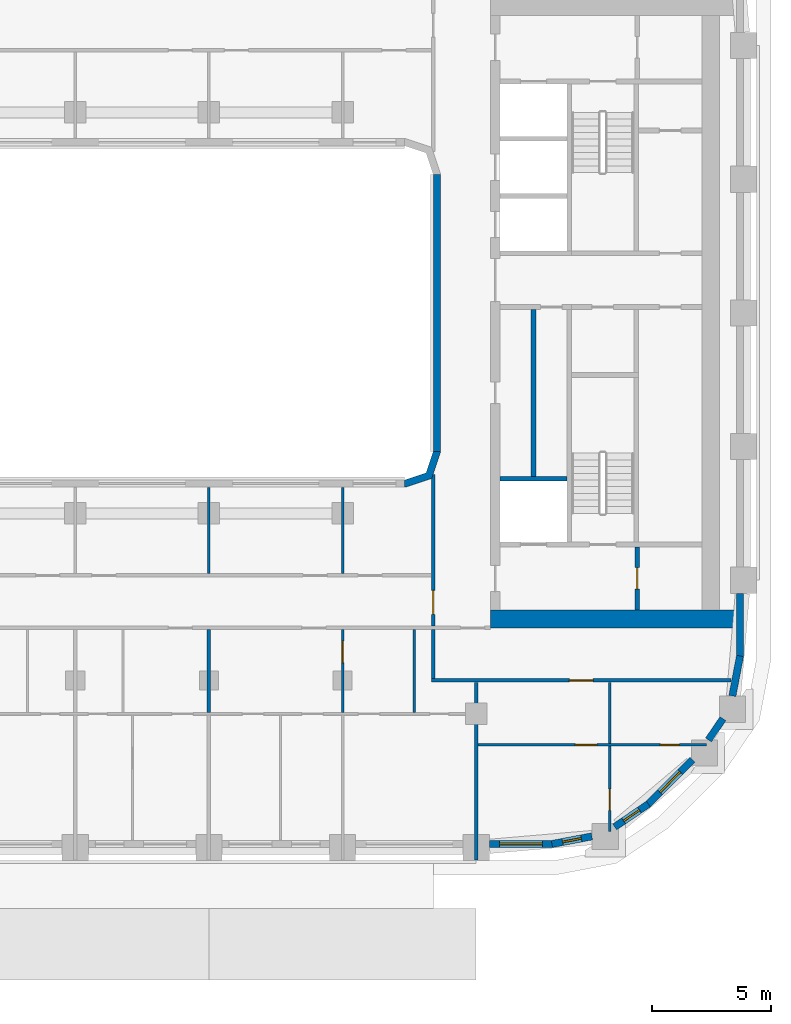
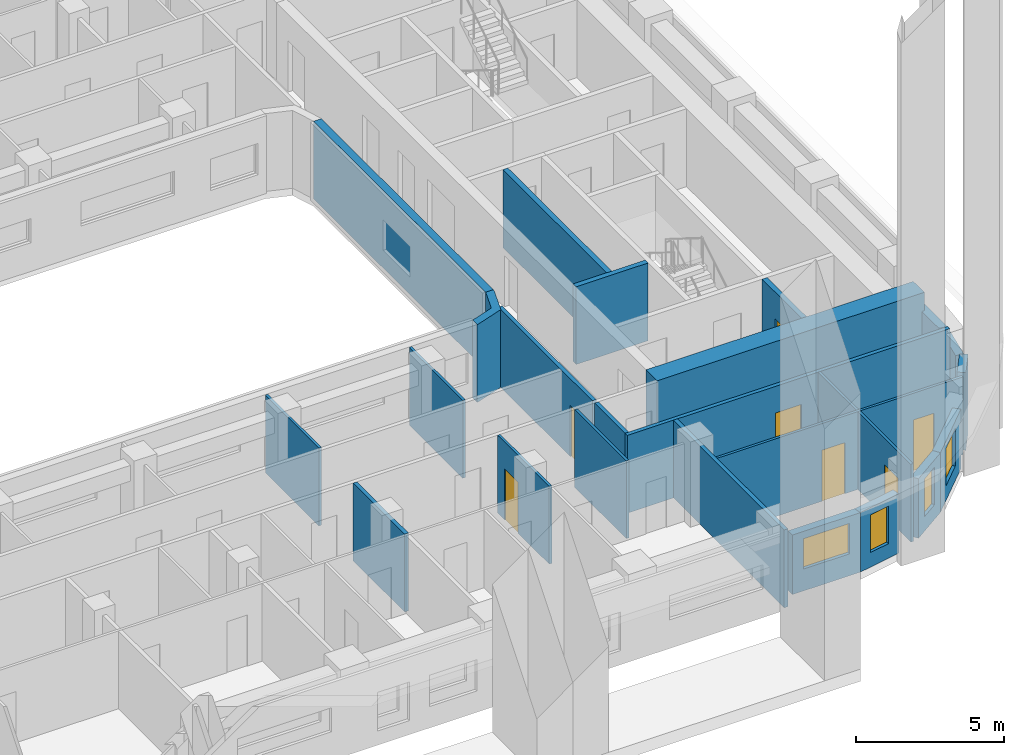
# One storey, part 5 of 18: 25 walls, 7 doors, 4 windows, 11 openings.
"""IFC4 building model written with IfcOpenShell, lengths in metres."""

from ifc_helpers import new_model, si_unit, direction, frame, frame_2d, origin, place, context, subcontext, project, spatial, polyline, rectangle, outline, extrude, material, layer, layer_set, type_object, element, fill, save


model = new_model("IFC4")

# Units and contexts
model_context = context("Model", 3, precision=1e-05, world=origin(), true_north=direction((0.0, 1.0)))
body_context = subcontext(model_context, "Body", "Model", "MODEL_VIEW")
ifc_project = project(units=[si_unit("LENGTHUNIT", "METRE"), si_unit("AREAUNIT", "SQUARE_METRE"), si_unit("VOLUMEUNIT", "CUBIC_METRE"), si_unit("PLANEANGLEUNIT", "RADIAN"), si_unit("MASSUNIT", "GRAM", prefix="KILO")], contexts=[model_context])

# Site, building, storey
site_placement = place(None, origin())
site = spatial("IfcSite", under=ifc_project, at=site_placement, CompositionType="ELEMENT")
building_placement = place(site_placement, origin())
building = spatial("IfcBuilding", under=site, at=building_placement, Name="Kiln Ring Residences", CompositionType="ELEMENT")
storey_placement = place(building_placement, frame((0.0, 0.0, 136.10009765625)))
storey = spatial("IfcBuildingStorey", under=building, at=storey_placement, Name="L34", CompositionType="ELEMENT", Elevation=136.10009765625)

# Wall
ifc_material_1 = material(Name="Gypsum board on steel studs", Category="steel")
ifc_layer_1 = layer(ifc_material_1, 0.199951171875)
ifc_layer_set_1 = layer_set([ifc_layer_1], Name="CORE-PARTITION-200")
wall_type_1 = type_object("IfcWallType", Name="CORE-PARTITION-200", PredefinedType="PARTITIONING", material=ifc_layer_set_1)
wall_1_placement = place(storey_placement, frame((19.199951171875, -6.85009765625, 0.0), z_axis=(0.0, 0.0, 1.0), x_axis=(0.0, 1.0, 0.0)))
element("IfcWall", 1, at=wall_1_placement, inside=storey, type_object=wall_type_1, Name="Core partition east L34 3", PredefinedType="PARTITIONING", context=body_context, shape_type="SweptSolid", body=[
    extrude(rectangle(XDim=7.0, YDim=0.199951171875, at=frame_2d((3.5, 0.0))), origin(), (0.0, 0.0, 1.0), 3.199951171875),
])

# Wall, opening, door
wall_2_placement = place(storey_placement, frame((23.550048828125, -12.449951171875, 0.0), z_axis=(0.0, 0.0, 1.0), x_axis=(0.0, 1.0, 0.0)))
wall_2 = element("IfcWall", 2, at=wall_2_placement, inside=storey, type_object=wall_type_1, Name="Core partition east L34 5", PredefinedType="PARTITIONING", context=body_context, shape_type="SweptSolid", body=[
    extrude(rectangle(XDim=2.64990234375, YDim=0.199951171875, at=frame_2d((1.324951171875, 0.0))), origin(), (0.0, 0.0, 1.0), 3.199951171875),
])
opening_1_placement = place(wall_2_placement, frame((0.875, 0.0, 0.0)))
opening_1 = element("IfcOpeningElement", 3, at=opening_1_placement, cuts=wall_2, Name="Opening L34-CE10", PredefinedType="OPENING", context=body_context, shape_type="SweptSolid", body=[
    extrude(rectangle(XDim=0.89990234375, YDim=2.10009765625, at=frame_2d((0.449951171875, 1.050048828125))), frame((0.0, 0.10986328125, 0.0), z_axis=(0.0, -1.0, 0.0), x_axis=(1.0, 0.0, 0.0)), (0.0, 0.0, 1.0), 0.219970703125),
])
ifc_material_2 = material(Name="Steel door leaf", Category="steel")
door_type_1 = type_object("IfcDoorType", Name="CORE-DOOR-ROOM", OperationType="SINGLE_SWING_LEFT", PredefinedType="DOOR", material=ifc_material_2)
door_1_placement = place(opening_1_placement, origin())
door_1 = element("IfcDoor", 4, at=door_1_placement, inside=storey, type_object=door_type_1, Name="Store L34-CE10", OperationType="SINGLE_SWING_LEFT", OverallHeight=2.10009765625, OverallWidth=0.89990234375, PredefinedType="DOOR", context=body_context, shape_type="SweptSolid", body=[
    extrude(rectangle(XDim=0.89990234375, YDim=2.10009765625, at=frame_2d((0.449951171875, 1.050048828125))), frame((0.0, 0.02490234375, 0.0), z_axis=(0.0, -1.0, 0.0), x_axis=(1.0, 0.0, 0.0)), (0.0, 0.0, 1.0), 0.050048828125),
])
fill(opening_1, door_1)

# Walls
ifc_material_3 = material(Name="Gypsum shaft wall system")
ifc_layer_2 = layer(ifc_material_3, 0.199951171875)
ifc_layer_set_2 = layer_set([ifc_layer_2], Name="CORE-SHAFT-WALL-200")
wall_type_2 = type_object("IfcWallType", Name="CORE-SHAFT-WALL-200", PredefinedType="PARTITIONING", material=ifc_layer_set_2)
wall_3_placement = place(storey_placement, frame((17.800048828125, -6.949951171875, 0.0), z_axis=(0.0, 0.0, 1.0), x_axis=(1.0, 0.0, 0.0)))
element("IfcWall", 5, at=wall_3_placement, inside=storey, type_object=wall_type_2, Name="Core partition east L34 7", PredefinedType="PARTITIONING", context=body_context, shape_type="SweptSolid", body=[
    extrude(rectangle(XDim=2.800048828125, YDim=0.199951171875, at=frame_2d((1.39990234375, 0.0))), origin(), (0.0, 0.0, 1.0), 3.199951171875),
])
ifc_material_4 = material(Name="Concrete C60/75", Category="concrete")
ifc_layer_3 = layer(ifc_material_4, 0.75)
ifc_layer_set_3 = layer_set([ifc_layer_3], Name="CORE-WALL-RC750")
wall_type_3 = type_object("IfcWallType", Name="CORE-WALL-RC750", PredefinedType="SHEAR", material=ifc_layer_set_3)
wall_4_placement = place(storey_placement, frame((17.39990234375, -12.824951171875, 0.0), z_axis=(0.0, 0.0, 1.0), x_axis=(1.0, 0.0, 0.0)))
element("IfcWall", 6, at=wall_4_placement, inside=storey, type_object=wall_type_3, Name="Core wall east L34 5", PredefinedType="SHEAR", context=body_context, shape_type="SweptSolid", body=[
    extrude(rectangle(XDim=10.400146484375, YDim=0.75, at=frame_2d((5.2001953125, 0.0))), origin(), (0.0, 0.0, 1.0), 3.199951171875),
])

# Wall, opening, window
ifc_material_5 = material(Name="Brick masonry, dark clay brick", Category="masonry")
ifc_layer_4 = layer(ifc_material_5, 0.300048828125)
ifc_layer_set_4 = layer_set([ifc_layer_4], Name="EW-300 BRICK WALL")
wall_type_4 = type_object("IfcWallType", Name="EW-300 BRICK WALL", PredefinedType="SOLIDWALL", material=ifc_layer_set_4)
wall_5_placement = place(storey_placement, frame((17.35009765625, -22.25, 0.0), z_axis=(0.0, 0.0, 1.0), x_axis=(1.0, 0.0, 0.0)))
wall_5 = element("IfcWall", 7, at=wall_5_placement, inside=storey, type_object=wall_type_4, Name="Facade wall L34 11", PredefinedType="SOLIDWALL", context=body_context, shape_type="SweptSolid", body=[
    extrude(rectangle(XDim=2.64990234375, YDim=0.300048828125, at=frame_2d((1.324951171875, 0.0))), origin(), (0.0, 0.0, 1.0), 2.449951171875),
])
opening_2_placement = place(wall_5_placement, frame((0.425048828125, 0.0, 0.89990234375)))
opening_2 = element("IfcOpeningElement", 8, at=opening_2_placement, cuts=wall_5, Name="Opening W2", PredefinedType="OPENING", context=body_context, shape_type="SweptSolid", body=[
    extrude(rectangle(XDim=1.800048828125, YDim=1.25, at=frame_2d((0.89990234375, 0.625))), frame((0.0, 0.159912109375, 0.0), z_axis=(0.0, -1.0, 0.0), x_axis=(1.0, 0.0, 0.0)), (0.0, 0.0, 1.0), 0.320068359375),
])
ifc_material_6 = material(Name="Aluminium frame with double glazing", Category="aluminium")
window_type_1 = type_object("IfcWindowType", Name="WINDOW 1800 x 1250", PartitioningType="SINGLE_PANEL", PredefinedType="WINDOW", material=ifc_material_6)
window_1_placement = place(opening_2_placement, origin())
window_1 = element("IfcWindow", 9, at=window_1_placement, inside=storey, type_object=window_type_1, Name="Window L34 12", OverallHeight=1.25, OverallWidth=1.800048828125, PartitioningType="SINGLE_PANEL", PredefinedType="WINDOW", context=body_context, shape_type="SweptSolid", body=[
    extrude(rectangle(XDim=1.800048828125, YDim=1.25, at=frame_2d((0.89990234375, 0.625))), frame((0.0, 0.030029296875, 0.0), z_axis=(0.0, -1.0, 0.0), x_axis=(1.0, 0.0, 0.0)), (0.0, 0.0, 1.0), 0.06005859375),
])
fill(opening_2, window_1)

wall_6_placement = place(storey_placement, frame((19.971923828125, -22.252685546875, 0.0), z_axis=(0.0, 0.0, 1.0), x_axis=(0.982297206936, 0.187329114784, 0.0)))
wall_6 = element("IfcWall", 10, at=wall_6_placement, inside=storey, type_object=wall_type_4, Name="Facade wall L34 12", PredefinedType="SOLIDWALL", context=body_context, shape_type="SweptSolid", body=[
    extrude(rectangle(XDim=1.7060546875, YDim=0.300048828125, at=frame_2d((0.85302734375, 0.0))), origin(), (0.0, 0.0, 1.0), 2.449951171875),
])
opening_3_placement = place(wall_6_placement, frame((0.453125, 0.0, 0.60009765625)))
opening_3 = element("IfcOpeningElement", 11, at=opening_3_placement, cuts=wall_6, Name="Opening W5", PredefinedType="OPENING", context=body_context, shape_type="SweptSolid", body=[
    extrude(rectangle(XDim=0.800048828125, YDim=1.550048828125, at=frame_2d((0.39990234375, 0.77490234375))), frame((0.0, 0.159912109375, 0.0), z_axis=(0.0, -1.0, 0.0), x_axis=(1.0, 0.0, 0.0)), (0.0, 0.0, 1.0), 0.320068359375),
])
ifc_material_7 = material(Name="Aluminium frame with double glazing", Category="aluminium")
window_type_2 = type_object("IfcWindowType", Name="WINDOW 800 x 1550", PartitioningType="SINGLE_PANEL", PredefinedType="WINDOW", material=ifc_material_7)
window_2_placement = place(opening_3_placement, origin())
window_2 = element("IfcWindow", 12, at=window_2_placement, inside=storey, type_object=window_type_2, Name="Window L34 13", OverallHeight=1.550048828125, OverallWidth=0.800048828125, PartitioningType="SINGLE_PANEL", PredefinedType="WINDOW", context=body_context, shape_type="SweptSolid", body=[
    extrude(rectangle(XDim=0.800048828125, YDim=1.550048828125, at=frame_2d((0.39990234375, 0.77490234375))), frame((0.0, 0.030029296875, 0.0), z_axis=(0.0, -1.0, 0.0), x_axis=(1.0, 0.0, 0.0)), (0.0, 0.0, 1.0), 0.06005859375),
])
fill(opening_3, window_2)

wall_7_placement = place(storey_placement, frame((22.601806640625, -21.537841796875, 0.0), z_axis=(0.0, 0.0, 1.0), x_axis=(0.827040942766, 0.562141689424, 0.0)))
wall_7 = element("IfcWall", 13, at=wall_7_placement, inside=storey, type_object=wall_type_4, Name="Facade wall L34 13", PredefinedType="SOLIDWALL", context=body_context, shape_type="SweptSolid", body=[
    extrude(rectangle(XDim=1.7060546875, YDim=0.300048828125, at=frame_2d((0.85302734375, 0.0))), origin(), (0.0, 0.0, 1.0), 2.449951171875),
])
opening_4_placement = place(wall_7_placement, frame((0.453125, 0.0, 0.60009765625)))
opening_4 = element("IfcOpeningElement", 14, at=opening_4_placement, cuts=wall_7, Name="Opening W5", PredefinedType="OPENING", context=body_context, shape_type="SweptSolid", body=[
    extrude(rectangle(XDim=0.800048828125, YDim=1.550048828125, at=frame_2d((0.39990234375, 0.77490234375))), frame((0.0, 0.159912109375, 0.0), z_axis=(0.0, -1.0, 0.0), x_axis=(1.0, 0.0, 0.0)), (0.0, 0.0, 1.0), 0.320068359375),
])
window_3_placement = place(opening_4_placement, origin())
window_3 = element("IfcWindow", 15, at=window_3_placement, inside=storey, type_object=window_type_2, Name="Window L34 14", OverallHeight=1.550048828125, OverallWidth=0.800048828125, PartitioningType="SINGLE_PANEL", PredefinedType="WINDOW", context=body_context, shape_type="SweptSolid", body=[
    extrude(rectangle(XDim=0.800048828125, YDim=1.550048828125, at=frame_2d((0.39990234375, 0.77490234375))), frame((0.0, 0.030029296875, 0.0), z_axis=(0.0, -1.0, 0.0), x_axis=(1.0, 0.0, 0.0)), (0.0, 0.0, 1.0), 0.06005859375),
])
fill(opening_4, window_3)

wall_8_placement = place(storey_placement, frame((23.990966796875, -20.596923828125, 0.0), z_axis=(0.0, 0.0, 1.0), x_axis=(0.707106781187, 0.707106781187, 0.0)))
wall_8 = element("IfcWall", 16, at=wall_8_placement, inside=storey, type_object=wall_type_4, Name="Facade wall L34 14", PredefinedType="SOLIDWALL", context=body_context, shape_type="SweptSolid", body=[
    extrude(rectangle(XDim=2.64990234375, YDim=0.300048828125, at=frame_2d((1.324951171875, 0.0))), origin(), (0.0, 0.0, 1.0), 2.449951171875),
])
opening_5_placement = place(wall_8_placement, frame((0.72509765625, 0.0, 0.60009765625)))
opening_5 = element("IfcOpeningElement", 17, at=opening_5_placement, cuts=wall_8, Name="Opening W1", PredefinedType="OPENING", context=body_context, shape_type="SweptSolid", body=[
    extrude(rectangle(XDim=1.199951171875, YDim=1.550048828125, at=frame_2d((0.60009765625, 0.77490234375))), frame((0.0, 0.159912109375, 0.0), z_axis=(0.0, -1.0, 0.0), x_axis=(1.0, 0.0, 0.0)), (0.0, 0.0, 1.0), 0.320068359375),
])
ifc_material_8 = material(Name="Aluminium frame with double glazing", Category="aluminium")
window_type_3 = type_object("IfcWindowType", Name="WINDOW 1200 x 1550", PartitioningType="SINGLE_PANEL", PredefinedType="WINDOW", material=ifc_material_8)
window_4_placement = place(opening_5_placement, origin())
window_4 = element("IfcWindow", 18, at=window_4_placement, inside=storey, type_object=window_type_3, Name="Window L34 15", OverallHeight=1.550048828125, OverallWidth=1.199951171875, PartitioningType="SINGLE_PANEL", PredefinedType="WINDOW", context=body_context, shape_type="SweptSolid", body=[
    extrude(rectangle(XDim=1.199951171875, YDim=1.550048828125, at=frame_2d((0.60009765625, 0.77490234375))), frame((0.0, 0.030029296875, 0.0), z_axis=(0.0, -1.0, 0.0), x_axis=(1.0, 0.0, 0.0)), (0.0, 0.0, 1.0), 0.06005859375),
])
fill(opening_5, window_4)

# Walls
wall_9_placement = place(storey_placement, frame((26.532470703125, -17.892578125, 0.0), z_axis=(0.0, 0.0, 1.0), x_axis=(0.562105419172, 0.82706559458, 0.0)))
element("IfcWall", 19, at=wall_9_placement, inside=storey, type_object=wall_type_4, Name="Facade wall L34 15", PredefinedType="SOLIDWALL", context=body_context, shape_type="SweptSolid", body=[
    extrude(rectangle(XDim=1.0771484375, YDim=0.300048828125, at=frame_2d((0.53857421875, 0.0))), origin(), (0.0, 0.0, 1.0), 3.199951171875),
])
wall_10_placement = place(storey_placement, frame((27.532958984375, -16.0478515625, 0.0), z_axis=(0.0, 0.0, 1.0), x_axis=(0.187302784601, 0.982302227871, 0.0)))
element("IfcWall", 20, at=wall_10_placement, inside=storey, type_object=wall_type_4, Name="Facade wall L34 16", PredefinedType="SOLIDWALL", context=body_context, shape_type="SweptSolid", body=[
    extrude(rectangle(XDim=1.706298828125, YDim=0.300048828125, at=frame_2d((0.85302734375, 0.0))), origin(), (0.0, 0.0, 1.0), 2.449951171875),
])
wall_11_placement = place(storey_placement, frame((27.85009765625, -14.39990234375, 0.0), z_axis=(0.0, 0.0, 1.0), x_axis=(0.0, 1.0, 0.0)))
element("IfcWall", 21, at=wall_11_placement, inside=storey, type_object=wall_type_4, Name="Facade wall L34 17", PredefinedType="SOLIDWALL", context=body_context, shape_type="SweptSolid", body=[
    extrude(rectangle(XDim=2.64990234375, YDim=0.300048828125, at=frame_2d((1.324951171875, 0.0))), origin(), (0.0, 0.0, 1.0), 2.449951171875),
])
wall_12_placement = place(storey_placement, frame((15.14990234375, 5.800048828125, 0.0), z_axis=(0.0, 0.0, 1.0), x_axis=(0.0, -1.0, 0.0)))
element("IfcWall", 22, at=wall_12_placement, inside=storey, type_object=wall_type_4, Name="Facade wall L34 51", PredefinedType="SOLIDWALL", context=body_context, shape_type="SweptSolid", body=[
    extrude(rectangle(XDim=11.60009765625, YDim=0.300048828125, at=frame_2d((5.800048828125, 0.0))), origin(), (0.0, 0.0, 1.0), 3.199951171875),
])
wall_13_placement = place(storey_placement, origin())
element("IfcWall", 23, at=wall_13_placement, inside=storey, type_object=wall_type_4, Name="Corner wall L34 3", PredefinedType="SOLIDWALL", context=body_context, shape_type="SweptSolid", body=[
    extrude(outline(polyline([(14.937255859375, -6.937255859375), (15.300048828125, -5.8486328125), (15.300048828125, -5.800048828125), (15.0, -5.800048828125), (14.699951171875, -6.699951171875), (13.800048828125, -7.0), (13.800048828125, -7.300048828125), (13.8486328125, -7.300048828125), (14.937255859375, -6.937255859375)])), origin(), (0.0, 0.0, 1.0), 3.199951171875),
])

# Wall, openings, doors
ifc_material_9 = material(Name="Gypsum board on steel studs", Category="steel")
ifc_layer_5 = layer(ifc_material_9, 0.10009765625)
ifc_layer_set_5 = layer_set([ifc_layer_5], Name="PARTITION-100")
wall_type_5 = type_object("IfcWallType", Name="PARTITION-100", PredefinedType="PARTITIONING", material=ifc_layer_set_5)
wall_14_placement = place(storey_placement, frame((16.875, -18.10009765625, 0.0), z_axis=(0.0, 0.0, 1.0), x_axis=(1.0, 0.0, 0.0)))
wall_14 = element("IfcWall", 24, at=wall_14_placement, inside=storey, type_object=wall_type_5, Name="Partition 001", PredefinedType="PARTITIONING", context=body_context, shape_type="SweptSolid", body=[
    extrude(rectangle(XDim=9.56494140625, YDim=0.10009765625, at=frame_2d((4.782470703125, 0.0))), origin(), (0.0, 0.0, 1.0), 3.199951171875),
])
opening_6_placement = place(wall_14_placement, frame((7.638916015625, 0.0, 0.0)))
opening_6 = element("IfcOpeningElement", 25, at=opening_6_placement, cuts=wall_14, Name="Opening L34-D067", PredefinedType="OPENING", context=body_context, shape_type="SweptSolid", body=[
    extrude(rectangle(XDim=0.800048828125, YDim=2.10009765625, at=frame_2d((0.39990234375, 1.050048828125))), frame((0.0, 0.06005859375, 0.0), z_axis=(0.0, -1.0, 0.0), x_axis=(1.0, 0.0, 0.0)), (0.0, 0.0, 1.0), 0.1201171875),
])
opening_7_placement = place(wall_14_placement, frame((4.074951171875, 0.0, 0.0)))
opening_7 = element("IfcOpeningElement", 26, at=opening_7_placement, cuts=wall_14, Name="Opening L34-D068", PredefinedType="OPENING", context=body_context, shape_type="SweptSolid", body=[
    extrude(rectangle(XDim=0.89990234375, YDim=2.10009765625, at=frame_2d((0.449951171875, 1.050048828125))), frame((0.0, 0.06005859375, 0.0), z_axis=(0.0, -1.0, 0.0), x_axis=(1.0, 0.0, 0.0)), (0.0, 0.0, 1.0), 0.1201171875),
])
ifc_material_10 = material(Name="Timber door leaf", Category="wood")
door_type_2 = type_object("IfcDoorType", Name="FLAT-DOOR-800-PL", OperationType="SINGLE_SWING_LEFT", PredefinedType="DOOR", material=ifc_material_10)
door_2_placement = place(opening_6_placement, origin())
door_2 = element("IfcDoor", 27, at=door_2_placement, inside=storey, type_object=door_type_2, Name="Door L34-D067", OperationType="SINGLE_SWING_LEFT", OverallHeight=2.10009765625, OverallWidth=0.800048828125, PredefinedType="DOOR", context=body_context, shape_type="SweptSolid", body=[
    extrude(rectangle(XDim=0.800048828125, YDim=2.10009765625, at=frame_2d((0.39990234375, 1.050048828125))), frame((0.0, 0.02490234375, 0.0), z_axis=(0.0, -1.0, 0.0), x_axis=(1.0, 0.0, 0.0)), (0.0, 0.0, 1.0), 0.050048828125),
])
fill(opening_6, door_2)
ifc_material_11 = material(Name="Timber door leaf", Category="wood")
door_type_3 = type_object("IfcDoorType", Name="FLAT-DOOR-900-PL", OperationType="SINGLE_SWING_LEFT", PredefinedType="DOOR", material=ifc_material_11)
door_3_placement = place(opening_7_placement, origin())
door_3 = element("IfcDoor", 28, at=door_3_placement, inside=storey, type_object=door_type_3, Name="Door L34-D068", OperationType="SINGLE_SWING_RIGHT", OverallHeight=2.10009765625, OverallWidth=0.89990234375, PredefinedType="DOOR", context=body_context, shape_type="SweptSolid", body=[
    extrude(rectangle(XDim=0.89990234375, YDim=2.10009765625, at=frame_2d((0.449951171875, 1.050048828125))), frame((0.0, 0.02490234375, 0.0), z_axis=(0.0, -1.0, 0.0), x_axis=(1.0, 0.0, 0.0)), (0.0, 0.0, 1.0), 0.050048828125),
])
fill(opening_7, door_3)

# Wall
wall_15_placement = place(storey_placement, frame((5.60009765625, -10.925048828125, 0.0), z_axis=(0.0, 0.0, 1.0), x_axis=(0.0, 1.0, 0.0)))
element("IfcWall", 29, at=wall_15_placement, inside=storey, type_object=wall_type_5, Name="Partition 049", PredefinedType="PARTITIONING", context=body_context, shape_type="SweptSolid", body=[
    extrude(rectangle(XDim=3.60498046875, YDim=0.10009765625, at=frame_2d((1.802490234375, 0.0))), origin(), (0.0, 0.0, 1.0), 3.199951171875),
])

# Wall, opening, door
wall_16_placement = place(storey_placement, frame((11.199951171875, -16.75, 0.0), z_axis=(0.0, 0.0, 1.0), x_axis=(0.0, 1.0, 0.0)))
wall_16 = element("IfcWall", 30, at=wall_16_placement, inside=storey, type_object=wall_type_5, Name="Partition 059", PredefinedType="PARTITIONING", context=body_context, shape_type="SweptSolid", body=[
    extrude(rectangle(XDim=3.47509765625, YDim=0.10009765625, at=frame_2d((1.737548828125, 0.0))), origin(), (0.0, 0.0, 1.0), 3.199951171875),
])
opening_8_placement = place(wall_16_placement, frame((2.10009765625, 0.0, 0.0)))
opening_8 = element("IfcOpeningElement", 31, at=opening_8_placement, cuts=wall_16, Name="Opening L34-D061", PredefinedType="OPENING", context=body_context, shape_type="SweptSolid", body=[
    extrude(rectangle(XDim=0.89990234375, YDim=2.10009765625, at=frame_2d((0.449951171875, 1.050048828125))), frame((0.0, 0.06005859375, 0.0), z_axis=(0.0, -1.0, 0.0), x_axis=(1.0, 0.0, 0.0)), (0.0, 0.0, 1.0), 0.1201171875),
])
door_4_placement = place(opening_8_placement, origin())
door_4 = element("IfcDoor", 32, at=door_4_placement, inside=storey, type_object=door_type_3, Name="Door L34-D061", OperationType="SINGLE_SWING_RIGHT", OverallHeight=2.10009765625, OverallWidth=0.89990234375, PredefinedType="DOOR", context=body_context, shape_type="SweptSolid", body=[
    extrude(rectangle(XDim=0.89990234375, YDim=2.10009765625, at=frame_2d((0.449951171875, 1.050048828125))), frame((0.0, 0.02490234375, 0.0), z_axis=(0.0, -1.0, 0.0), x_axis=(1.0, 0.0, 0.0)), (0.0, 0.0, 1.0), 0.050048828125),
])
fill(opening_8, door_4)

# Walls
wall_17_placement = place(storey_placement, frame((11.199951171875, -10.925048828125, 0.0), z_axis=(0.0, 0.0, 1.0), x_axis=(0.0, 1.0, 0.0)))
element("IfcWall", 33, at=wall_17_placement, inside=storey, type_object=wall_type_5, Name="Partition 060", PredefinedType="PARTITIONING", context=body_context, shape_type="SweptSolid", body=[
    extrude(rectangle(XDim=3.60498046875, YDim=0.10009765625, at=frame_2d((1.802490234375, 0.0))), origin(), (0.0, 0.0, 1.0), 3.199951171875),
])
wall_18_placement = place(storey_placement, frame((14.199951171875, -16.75, 0.0), z_axis=(0.0, 0.0, 1.0), x_axis=(0.0, 1.0, 0.0)))
element("IfcWall", 34, at=wall_18_placement, inside=storey, type_object=wall_type_5, Name="Partition 066", PredefinedType="PARTITIONING", context=body_context, shape_type="SweptSolid", body=[
    extrude(rectangle(XDim=3.47509765625, YDim=0.10009765625, at=frame_2d((1.737548828125, 0.0))), origin(), (0.0, 0.0, 1.0), 3.199951171875),
])

# Wall, opening, door
wall_19_placement = place(storey_placement, frame((22.39990234375, -21.719970703125, 0.0), z_axis=(0.0, 0.0, 1.0), x_axis=(0.0, 1.0, 0.0)))
wall_19 = element("IfcWall", 35, at=wall_19_placement, inside=storey, type_object=wall_type_5, Name="Partition 073", PredefinedType="PARTITIONING", context=body_context, shape_type="SweptSolid", body=[
    extrude(rectangle(XDim=3.570068359375, YDim=0.10009765625, at=frame_2d((1.78515625, 0.0))), origin(), (0.0, 0.0, 1.0), 3.199951171875),
])
opening_9_placement = place(wall_19_placement, frame((0.8720703125, 0.0, 0.0)))
opening_9 = element("IfcOpeningElement", 36, at=opening_9_placement, cuts=wall_19, Name="Opening L34-D069", PredefinedType="OPENING", context=body_context, shape_type="SweptSolid", body=[
    extrude(rectangle(XDim=0.89990234375, YDim=2.10009765625, at=frame_2d((0.449951171875, 1.050048828125))), frame((0.0, 0.06005859375, 0.0), z_axis=(0.0, -1.0, 0.0), x_axis=(1.0, 0.0, 0.0)), (0.0, 0.0, 1.0), 0.1201171875),
])
door_5_placement = place(opening_9_placement, origin())
door_5 = element("IfcDoor", 37, at=door_5_placement, inside=storey, type_object=door_type_3, Name="Door L34-D069", OperationType="SINGLE_SWING_LEFT", OverallHeight=2.10009765625, OverallWidth=0.89990234375, PredefinedType="DOOR", context=body_context, shape_type="SweptSolid", body=[
    extrude(rectangle(XDim=0.89990234375, YDim=2.10009765625, at=frame_2d((0.449951171875, 1.050048828125))), frame((0.0, 0.02490234375, 0.0), z_axis=(0.0, -1.0, 0.0), x_axis=(1.0, 0.0, 0.0)), (0.0, 0.0, 1.0), 0.050048828125),
])
fill(opening_9, door_5)

# Wall
wall_20_placement = place(storey_placement, frame((22.39990234375, -18.050048828125, 0.0), z_axis=(0.0, 0.0, 1.0), x_axis=(0.0, 1.0, 0.0)))
element("IfcWall", 38, at=wall_20_placement, inside=storey, type_object=wall_type_5, Name="Partition 074", PredefinedType="PARTITIONING", context=body_context, shape_type="SweptSolid", body=[
    extrude(rectangle(XDim=2.574951171875, YDim=0.10009765625, at=frame_2d((1.28759765625, 0.0))), origin(), (0.0, 0.0, 1.0), 3.199951171875),
])

# Wall, opening, door
ifc_material_12 = material(Name="Brick masonry partition", Category="masonry")
ifc_layer_6 = layer(ifc_material_12, 0.14990234375)
ifc_layer_set_6 = layer_set([ifc_layer_6], Name="PARTITION-150-ei60")
wall_type_6 = type_object("IfcWallType", Name="PARTITION-150-ei60", PredefinedType="PARTITIONING", material=ifc_layer_set_6)
wall_21_placement = place(storey_placement, frame((14.925048828125, -15.39990234375, 0.0), z_axis=(0.0, 0.0, 1.0), x_axis=(1.0, 0.0, 0.0)))
wall_21 = element("IfcWall", 39, at=wall_21_placement, inside=storey, type_object=wall_type_6, Name="Partition 004", PredefinedType="PARTITIONING", context=body_context, shape_type="SweptSolid", body=[
    extrude(rectangle(XDim=12.558837890625, YDim=0.14990234375, at=frame_2d((6.279296875, 0.0))), origin(), (0.0, 0.0, 1.0), 3.199951171875),
])
opening_10_placement = place(wall_21_placement, frame((5.77490234375, 0.0, 0.0)))
opening_10 = element("IfcOpeningElement", 40, at=opening_10_placement, cuts=wall_21, Name="Opening L34-D066", PredefinedType="OPENING", context=body_context, shape_type="SweptSolid", body=[
    extrude(rectangle(XDim=1.0, YDim=2.10009765625, at=frame_2d((0.5, 1.050048828125))), frame((0.0, 0.0849609375, 0.0), z_axis=(0.0, -1.0, 0.0), x_axis=(1.0, 0.0, 0.0)), (0.0, 0.0, 1.0), 0.169921875),
])
ifc_material_13 = material(Name="Steel faced fire door leaf", Category="steel")
door_type_4 = type_object("IfcDoorType", Name="FLAT-DOOR-1000-FR", OperationType="SINGLE_SWING_LEFT", PredefinedType="DOOR", material=ifc_material_13)
door_6_placement = place(opening_10_placement, origin())
door_6 = element("IfcDoor", 41, at=door_6_placement, inside=storey, type_object=door_type_4, Name="Door L34-D066", OperationType="SINGLE_SWING_RIGHT", OverallHeight=2.10009765625, OverallWidth=1.0, PredefinedType="DOOR", context=body_context, shape_type="SweptSolid", body=[
    extrude(rectangle(XDim=1.0, YDim=2.10009765625, at=frame_2d((0.5, 1.050048828125))), frame((0.0, 0.02490234375, 0.0), z_axis=(0.0, -1.0, 0.0), x_axis=(1.0, 0.0, 0.0)), (0.0, 0.0, 1.0), 0.050048828125),
])
fill(opening_10, door_6)

# Walls
wall_22_placement = place(storey_placement, frame((5.60009765625, -16.75, 0.0), z_axis=(0.0, 0.0, 1.0), x_axis=(0.0, 1.0, 0.0)))
element("IfcWall", 42, at=wall_22_placement, inside=storey, type_object=wall_type_6, Name="Partition 052", PredefinedType="PARTITIONING", context=body_context, shape_type="SweptSolid", body=[
    extrude(rectangle(XDim=3.47509765625, YDim=0.14990234375, at=frame_2d((1.737548828125, 0.0))), origin(), (0.0, 0.0, 1.0), 3.199951171875),
])
wall_23_placement = place(storey_placement, frame((15.0, -15.324951171875, 0.0), z_axis=(0.0, 0.0, 1.0), x_axis=(0.0, 1.0, 0.0)))
element("IfcWall", 43, at=wall_23_placement, inside=storey, type_object=wall_type_6, Name="Partition 067", PredefinedType="PARTITIONING", context=body_context, shape_type="SweptSolid", body=[
    extrude(rectangle(XDim=2.050048828125, YDim=0.14990234375, at=frame_2d((1.02490234375, 0.0))), origin(), (0.0, 0.0, 1.0), 3.199951171875),
])

# Wall, opening, door
wall_24_placement = place(storey_placement, frame((15.0, -13.125, 0.0), z_axis=(0.0, 0.0, 1.0), x_axis=(0.0, 1.0, 0.0)))
wall_24 = element("IfcWall", 44, at=wall_24_placement, inside=storey, type_object=wall_type_6, Name="Partition 068", PredefinedType="PARTITIONING", context=body_context, shape_type="SweptSolid", body=[
    extrude(rectangle(XDim=6.356201171875, YDim=0.14990234375, at=frame_2d((3.17822265625, 0.0))), origin(), (0.0, 0.0, 1.0), 3.199951171875),
])
opening_11_placement = place(wall_24_placement, frame((0.49609375, 0.0, 0.0)))
opening_11 = element("IfcOpeningElement", 45, at=opening_11_placement, cuts=wall_24, Name="Opening L34-D006", PredefinedType="OPENING", context=body_context, shape_type="SweptSolid", body=[
    extrude(rectangle(XDim=1.0, YDim=2.10009765625, at=frame_2d((0.5, 1.050048828125))), frame((0.0, 0.0849609375, 0.0), z_axis=(0.0, -1.0, 0.0), x_axis=(1.0, 0.0, 0.0)), (0.0, 0.0, 1.0), 0.169921875),
])
door_7_placement = place(opening_11_placement, origin())
door_7 = element("IfcDoor", 46, at=door_7_placement, inside=storey, type_object=door_type_4, Name="Door L34-D006", OperationType="SINGLE_SWING_LEFT", OverallHeight=2.10009765625, OverallWidth=1.0, PredefinedType="DOOR", context=body_context, shape_type="SweptSolid", body=[
    extrude(rectangle(XDim=1.0, YDim=2.10009765625, at=frame_2d((0.5, 1.050048828125))), frame((0.0, 0.02490234375, 0.0), z_axis=(0.0, -1.0, 0.0), x_axis=(1.0, 0.0, 0.0)), (0.0, 0.0, 1.0), 0.050048828125),
])
fill(opening_11, door_7)

# Wall
wall_25_placement = place(storey_placement, frame((16.800048828125, -22.929931640625, 0.0), z_axis=(0.0, 0.0, 1.0), x_axis=(0.0, 1.0, 0.0)))
element("IfcWall", 47, at=wall_25_placement, inside=storey, type_object=wall_type_6, Name="Partition 071", PredefinedType="PARTITIONING", context=body_context, shape_type="SweptSolid", body=[
    extrude(rectangle(XDim=7.454833984375, YDim=0.14990234375, at=frame_2d((3.7275390625, 0.0))), origin(), (0.0, 0.0, 1.0), 3.199951171875),
])

save(model, "model.ifc")
